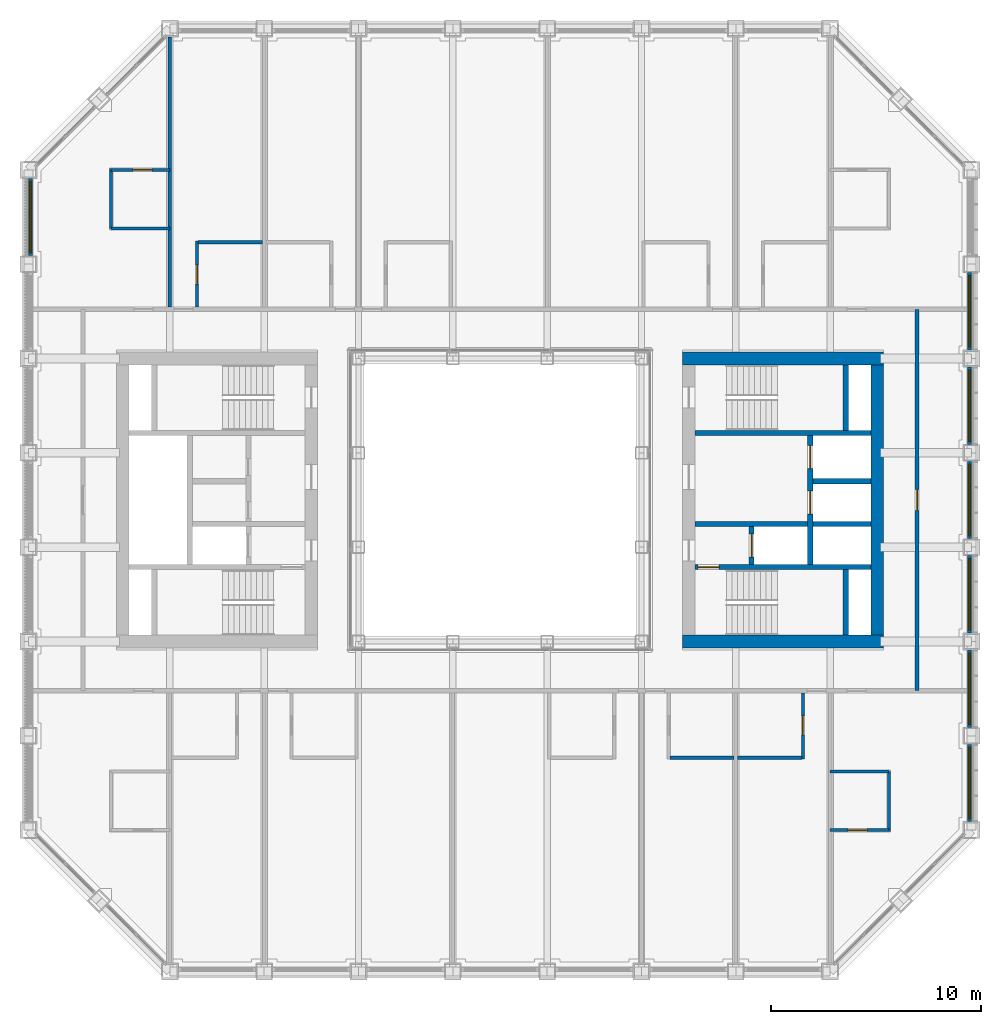
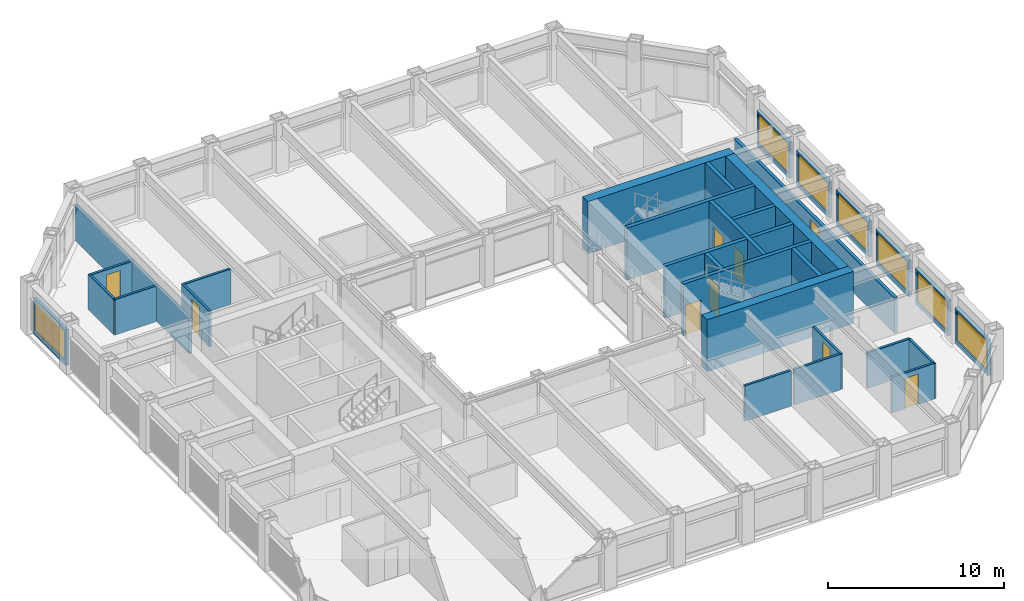
# One storey, part 12 of 17: 32 walls, 9 doors, 7 windows, 16 openings.
"""IFC4 building model written with IfcOpenShell, lengths in metres."""

from ifc_helpers import new_model, si_unit, direction, frame, frame_2d, origin, place, context, subcontext, project, spatial, rectangle, extrude, material, layer, layer_set, type_object, element, fill, save


model = new_model("IFC4")

# Units and contexts
model_context = context("Model", 3, precision=1e-05, world=origin(), true_north=direction((0.0, 1.0)))
body_context = subcontext(model_context, "Body", "Model", "MODEL_VIEW")
ifc_project = project(units=[si_unit("LENGTHUNIT", "METRE"), si_unit("AREAUNIT", "SQUARE_METRE"), si_unit("VOLUMEUNIT", "CUBIC_METRE"), si_unit("PLANEANGLEUNIT", "RADIAN"), si_unit("MASSUNIT", "GRAM", prefix="KILO")], contexts=[model_context])

# Site, building, storey
site_placement = place(None, origin())
site = spatial("IfcSite", under=ifc_project, at=site_placement, CompositionType="ELEMENT")
building_placement = place(site_placement, origin())
building = spatial("IfcBuilding", under=site, at=building_placement, Name="Msasa Ring Tower", CompositionType="ELEMENT")
storey_placement = place(building_placement, frame((0.0, 0.0, 132.800048828125)))
storey = spatial("IfcBuildingStorey", under=building, at=storey_placement, Name="L34", CompositionType="ELEMENT", Elevation=132.800048828125)

# Walls
ifc_material_1 = material(Name="Concrete C60/75", Category="concrete")
ifc_layer_1 = layer(ifc_material_1, 0.60009765625)
ifc_layer_set_1 = layer_set([ifc_layer_1], Name="CW2 CORE WALL 600")
wall_type_1 = type_object("IfcWallType", Name="CW2 CORE WALL 600", PredefinedType="SHEAR", material=ifc_layer_set_1)
for number, where, z_axis, x_axis, name in (
    (1, (8.699951171875, -6.75, 0.0), (0.0, 0.0, 1.0), (1.0, 0.0, 0.0), "E core wall S L34"),
    (2, (8.699951171875, 6.75, 0.0), (0.0, 0.0, 1.0), (1.0, 0.0, 0.0), "E core wall N L34"),
):
    element("IfcWall", number, at=place(storey_placement, frame(where, z_axis=z_axis, x_axis=x_axis)), inside=storey, type_object=wall_type_1, Name=name, PredefinedType="SHEAR", context=body_context, shape_type="SweptSolid", body=[
        extrude(rectangle(XDim=9.60009765625, YDim=0.60009765625, at=frame_2d((4.800048828125, 0.0))), origin(), (0.0, 0.0, 1.0), 3.599853515625),
    ])
wall_1_placement = place(storey_placement, frame((18.0, -6.449951171875, 0.0), z_axis=(0.0, 0.0, 1.0), x_axis=(0.0, 1.0, 0.0)))
element("IfcWall", 3, at=wall_1_placement, inside=storey, type_object=wall_type_1, Name="E core wall E L34", PredefinedType="SHEAR", context=body_context, shape_type="SweptSolid", body=[
    extrude(rectangle(XDim=12.89990234375, YDim=0.60009765625, at=frame_2d((6.449951171875, 0.0))), origin(), (0.0, 0.0, 1.0), 3.599853515625),
])

# Wall, opening, door
ifc_material_2 = material(Name="Concrete C60/75", Category="concrete")
ifc_layer_2 = layer(ifc_material_2, 0.25)
ifc_layer_set_2 = layer_set([ifc_layer_2], Name="CW4 CORE INNER WALL 250")
wall_type_2 = type_object("IfcWallType", Name="CW4 CORE INNER WALL 250", PredefinedType="SHEAR", material=ifc_layer_set_2)
wall_2_placement = place(storey_placement, frame((9.300048828125, -3.199951171875, 0.0), z_axis=(0.0, 0.0, 1.0), x_axis=(1.0, 0.0, 0.0)))
wall_2 = element("IfcWall", 4, at=wall_2_placement, inside=storey, type_object=wall_type_2, Name="E core wall STAIRA L34", PredefinedType="SHEAR", context=body_context, shape_type="SweptSolid", body=[
    extrude(rectangle(XDim=8.39990234375, YDim=0.25, at=frame_2d((4.199951171875, 0.0))), origin(), (0.0, 0.0, 1.0), 3.599853515625),
])
opening_1_placement = place(wall_2_placement, frame((0.14990234375, 0.0, 0.0)))
opening_1 = element("IfcOpeningElement", 5, at=opening_1_placement, cuts=wall_2, Name="Opening HB-026", PredefinedType="OPENING", context=body_context, shape_type="SweptSolid", body=[
    extrude(rectangle(XDim=1.0, YDim=2.10009765625, at=frame_2d((0.5, 1.050048828125))), frame((0.0, 0.135009765625, 0.0), z_axis=(0.0, -1.0, 0.0), x_axis=(1.0, 0.0, 0.0)), (0.0, 0.0, 1.0), 0.27001953125),
])
ifc_material_3 = material(Name="Timber door leaf in a steel frame", Category="steel")
door_type_1 = type_object("IfcDoorType", Name="D6 STAIR DOOR 1000x2100", OperationType="SINGLE_SWING_LEFT", PredefinedType="DOOR", material=ifc_material_3)
door_1_placement = place(opening_1_placement, origin())
door_1 = element("IfcDoor", 6, at=door_1_placement, inside=storey, type_object=door_type_1, Name="Door L34-ESTA", OperationType="SINGLE_SWING_LEFT", OverallHeight=2.10009765625, OverallWidth=1.0, PredefinedType="DOOR", context=body_context, shape_type="SweptSolid", body=[
    extrude(rectangle(XDim=1.0, YDim=2.10009765625, at=frame_2d((0.5, 1.050048828125))), frame((0.0, 0.02490234375, 0.0), z_axis=(0.0, -1.0, 0.0), x_axis=(1.0, 0.0, 0.0)), (0.0, 0.0, 1.0), 0.050048828125),
])
fill(opening_1, door_1)

# Walls
wall_3_placement = place(storey_placement, frame((9.300048828125, 3.199951171875, 0.0), z_axis=(0.0, 0.0, 1.0), x_axis=(1.0, 0.0, 0.0)))
element("IfcWall", 7, at=wall_3_placement, inside=storey, type_object=wall_type_2, Name="E core wall STAIRB L34", PredefinedType="SHEAR", context=body_context, shape_type="SweptSolid", body=[
    extrude(rectangle(XDim=8.39990234375, YDim=0.25, at=frame_2d((4.199951171875, 0.0))), origin(), (0.0, 0.0, 1.0), 3.599853515625),
])
for number, where, z_axis, x_axis, name in (
    (8, (16.5, -6.449951171875, 0.0), (0.0, 0.0, 1.0), (0.0, 1.0, 0.0), "E core wall RISERA L34"),
    (9, (16.5, 3.324951171875, 0.0), (0.0, 0.0, 1.0), (0.0, 1.0, 0.0), "E core wall RISERB L34"),
):
    element("IfcWall", number, at=place(storey_placement, frame(where, z_axis=z_axis, x_axis=x_axis)), inside=storey, type_object=wall_type_2, Name=name, PredefinedType="SHEAR", context=body_context, shape_type="SweptSolid", body=[
        extrude(rectangle(XDim=3.125, YDim=0.25, at=frame_2d((1.5625, 0.0))), origin(), (0.0, 0.0, 1.0), 3.599853515625),
    ])
wall_4_placement = place(storey_placement, frame((9.300048828125, -1.14990234375, 0.0), z_axis=(0.0, 0.0, 1.0), x_axis=(1.0, 0.0, 0.0)))
element("IfcWall", 10, at=wall_4_placement, inside=storey, type_object=wall_type_2, Name="E core wall FFL L34", PredefinedType="SHEAR", context=body_context, shape_type="SweptSolid", body=[
    extrude(rectangle(XDim=5.375, YDim=0.25, at=frame_2d((2.6875, 0.0))), origin(), (0.0, 0.0, 1.0), 3.599853515625),
])

# Wall, opening, door
wall_5_placement = place(storey_placement, frame((12.0, -3.074951171875, 0.0), z_axis=(0.0, 0.0, 1.0), x_axis=(0.0, 1.0, 0.0)))
wall_5 = element("IfcWall", 11, at=wall_5_placement, inside=storey, type_object=wall_type_2, Name="E core wall LOBBY L34", PredefinedType="SHEAR", context=body_context, shape_type="SweptSolid", body=[
    extrude(rectangle(XDim=1.800048828125, YDim=0.25, at=frame_2d((0.89990234375, 0.0))), origin(), (0.0, 0.0, 1.0), 3.599853515625),
])
opening_2_placement = place(wall_5_placement, frame((0.35009765625, 0.0, 0.0)))
opening_2 = element("IfcOpeningElement", 12, at=opening_2_placement, cuts=wall_5, Name="Opening LD1", PredefinedType="OPENING", context=body_context, shape_type="SweptSolid", body=[
    extrude(rectangle(XDim=1.10009765625, YDim=2.10009765625, at=frame_2d((0.550048828125, 1.050048828125))), frame((0.0, 0.135009765625, 0.0), z_axis=(0.0, -1.0, 0.0), x_axis=(1.0, 0.0, 0.0)), (0.0, 0.0, 1.0), 0.27001953125),
])
ifc_material_4 = material(Name="Stainless steel lift landing door", Category="steel")
door_type_2 = type_object("IfcDoorType", Name="LD1 LIFT LANDING DOOR 1100x2100", OperationType="DOUBLE_DOOR_SLIDING", PredefinedType="DOOR", material=ifc_material_4)
door_2_placement = place(opening_2_placement, origin())
door_2 = element("IfcDoor", 13, at=door_2_placement, inside=storey, type_object=door_type_2, Name="Lift landing door FL-E L34", OperationType="DOUBLE_DOOR_SLIDING", OverallHeight=2.10009765625, OverallWidth=1.10009765625, PredefinedType="DOOR", context=body_context, shape_type="SweptSolid", body=[
    extrude(rectangle(XDim=1.10009765625, YDim=2.10009765625, at=frame_2d((0.550048828125, 1.050048828125))), frame((0.0, 0.02490234375, 0.0), z_axis=(0.0, -1.0, 0.0), x_axis=(1.0, 0.0, 0.0)), (0.0, 0.0, 1.0), 0.050048828125),
])
fill(opening_2, door_2)

# Wall, openings, doors
wall_6_placement = place(storey_placement, frame((14.800048828125, -3.074951171875, 0.0), z_axis=(0.0, 0.0, 1.0), x_axis=(0.0, 1.0, 0.0)))
wall_6 = element("IfcWall", 14, at=wall_6_placement, inside=storey, type_object=wall_type_2, Name="E core wall SHAFT L34", PredefinedType="SHEAR", context=body_context, shape_type="SweptSolid", body=[
    extrude(rectangle(XDim=6.14990234375, YDim=0.25, at=frame_2d((3.074951171875, 0.0))), origin(), (0.0, 0.0, 1.0), 3.599853515625),
])
opening_3_placement = place(wall_6_placement, frame((2.39990234375, 0.0, 0.0)))
opening_3 = element("IfcOpeningElement", 15, at=opening_3_placement, cuts=wall_6, Name="Opening LD1", PredefinedType="OPENING", context=body_context, shape_type="SweptSolid", body=[
    extrude(rectangle(XDim=1.10009765625, YDim=2.10009765625, at=frame_2d((0.550048828125, 1.050048828125))), frame((0.0, 0.135009765625, 0.0), z_axis=(0.0, -1.0, 0.0), x_axis=(1.0, 0.0, 0.0)), (0.0, 0.0, 1.0), 0.27001953125),
])
opening_4_placement = place(wall_6_placement, frame((4.574951171875, 0.0, 0.0)))
opening_4 = element("IfcOpeningElement", 16, at=opening_4_placement, cuts=wall_6, Name="Opening LD1", PredefinedType="OPENING", context=body_context, shape_type="SweptSolid", body=[
    extrude(rectangle(XDim=1.10009765625, YDim=2.10009765625, at=frame_2d((0.550048828125, 1.050048828125))), frame((0.0, 0.135009765625, 0.0), z_axis=(0.0, -1.0, 0.0), x_axis=(1.0, 0.0, 0.0)), (0.0, 0.0, 1.0), 0.27001953125),
])
door_3_placement = place(opening_3_placement, origin())
door_3 = element("IfcDoor", 17, at=door_3_placement, inside=storey, type_object=door_type_2, Name="Lift landing door PL-H1 L34", OperationType="DOUBLE_DOOR_SLIDING", OverallHeight=2.10009765625, OverallWidth=1.10009765625, PredefinedType="DOOR", context=body_context, shape_type="SweptSolid", body=[
    extrude(rectangle(XDim=1.10009765625, YDim=2.10009765625, at=frame_2d((0.550048828125, 1.050048828125))), frame((0.0, 0.02490234375, 0.0), z_axis=(0.0, -1.0, 0.0), x_axis=(1.0, 0.0, 0.0)), (0.0, 0.0, 1.0), 0.050048828125),
])
fill(opening_3, door_3)
door_4_placement = place(opening_4_placement, origin())
door_4 = element("IfcDoor", 18, at=door_4_placement, inside=storey, type_object=door_type_2, Name="Lift landing door PL-H2 L34", OperationType="DOUBLE_DOOR_SLIDING", OverallHeight=2.10009765625, OverallWidth=1.10009765625, PredefinedType="DOOR", context=body_context, shape_type="SweptSolid", body=[
    extrude(rectangle(XDim=1.10009765625, YDim=2.10009765625, at=frame_2d((0.550048828125, 1.050048828125))), frame((0.0, 0.02490234375, 0.0), z_axis=(0.0, -1.0, 0.0), x_axis=(1.0, 0.0, 0.0)), (0.0, 0.0, 1.0), 0.050048828125),
])
fill(opening_4, door_4)

# Walls
for number, where, z_axis, x_axis, name in (
    (19, (14.925048828125, -1.14990234375, 0.0), (0.0, 0.0, 1.0), (1.0, 0.0, 0.0), "E core wall HSEP L34"),
    (20, (14.925048828125, 0.89990234375, 0.0), (0.0, 0.0, 1.0), (1.0, 0.0, 0.0), "E core wall HLIFT L34"),
):
    element("IfcWall", number, at=place(storey_placement, frame(where, z_axis=z_axis, x_axis=x_axis)), inside=storey, type_object=wall_type_2, Name=name, PredefinedType="SHEAR", context=body_context, shape_type="SweptSolid", body=[
        extrude(rectangle(XDim=2.77490234375, YDim=0.25, at=frame_2d((1.387451171875, 0.0))), origin(), (0.0, 0.0, 1.0), 3.599853515625),
    ])

# Wall, opening, window
ifc_material_5 = material(Name="Terracotta rainscreen on blockwork", Category="masonry")
ifc_layer_3 = layer(ifc_material_5, 0.199951171875)
ifc_layer_set_3 = layer_set([ifc_layer_3], Name="FW1 TERRACOTTA-LINED INFILL BAY WALL 200")
wall_type_3 = type_object("IfcWallType", Name="FW1 TERRACOTTA-LINED INFILL BAY WALL 200", PredefinedType="SOLIDWALL", material=ifc_layer_set_3)
wall_7_placement = place(storey_placement, frame((22.39990234375, -15.344970703125, 0.0), z_axis=(0.0, 0.0, 1.0), x_axis=(0.0, 1.0, 0.0)))
wall_7 = element("IfcWall", 21, at=wall_7_placement, inside=storey, type_object=wall_type_3, Name="Infill bay wall E L34 09", PredefinedType="SOLIDWALL", context=body_context, shape_type="SweptSolid", body=[
    extrude(rectangle(XDim=3.68994140625, YDim=0.199951171875, at=frame_2d((1.844970703125, 0.0))), origin(), (0.0, 0.0, 1.0), 2.47900390625),
])
opening_5_placement = place(wall_7_placement, frame((0.14501953125, 0.0, 0.300048828125)))
opening_5 = element("IfcOpeningElement", 22, at=opening_5_placement, cuts=wall_7, Name="Opening WN2", PredefinedType="OPENING", context=body_context, shape_type="SweptSolid", body=[
    extrude(rectangle(XDim=3.39990234375, YDim=2.029052734375, at=frame_2d((1.699951171875, 1.0146484375))), frame((0.0, 0.10986328125, 0.0), z_axis=(0.0, -1.0, 0.0), x_axis=(1.0, 0.0, 0.0)), (0.0, 0.0, 1.0), 0.219970703125),
])
ifc_material_6 = material(Name="Aluminium frame with clear glass", Category="aluminium")
window_type = type_object("IfcWindowType", Name="WN2 GUEST ROOM WINDOW 3400x2029", PartitioningType="SINGLE_PANEL", PredefinedType="WINDOW", material=ifc_material_6)
window_1_placement = place(opening_5_placement, origin())
window_1 = element("IfcWindow", 23, at=window_1_placement, inside=storey, type_object=window_type, Name="Window E L34 09", OverallHeight=2.029052734375, OverallWidth=3.39990234375, PartitioningType="SINGLE_PANEL", PredefinedType="WINDOW", context=body_context, shape_type="SweptSolid", body=[
    extrude(rectangle(XDim=3.39990234375, YDim=2.029052734375, at=frame_2d((1.699951171875, 1.0146484375))), frame((0.0, 0.030029296875, 0.0), z_axis=(0.0, -1.0, 0.0), x_axis=(1.0, 0.0, 0.0)), (0.0, 0.0, 1.0), 0.06005859375),
])
fill(opening_5, window_1)

wall_8_placement = place(storey_placement, frame((22.39990234375, -10.844970703125, 0.0), z_axis=(0.0, 0.0, 1.0), x_axis=(0.0, 1.0, 0.0)))
wall_8 = element("IfcWall", 24, at=wall_8_placement, inside=storey, type_object=wall_type_3, Name="Infill bay wall E L34 10", PredefinedType="SOLIDWALL", context=body_context, shape_type="SweptSolid", body=[
    extrude(rectangle(XDim=3.68994140625, YDim=0.199951171875, at=frame_2d((1.844970703125, 0.0))), origin(), (0.0, 0.0, 1.0), 2.47900390625),
])
opening_6_placement = place(wall_8_placement, frame((0.14501953125, 0.0, 0.300048828125)))
opening_6 = element("IfcOpeningElement", 25, at=opening_6_placement, cuts=wall_8, Name="Opening WN2", PredefinedType="OPENING", context=body_context, shape_type="SweptSolid", body=[
    extrude(rectangle(XDim=3.39990234375, YDim=2.029052734375, at=frame_2d((1.699951171875, 1.0146484375))), frame((0.0, 0.10986328125, 0.0), z_axis=(0.0, -1.0, 0.0), x_axis=(1.0, 0.0, 0.0)), (0.0, 0.0, 1.0), 0.219970703125),
])
window_2_placement = place(opening_6_placement, origin())
window_2 = element("IfcWindow", 26, at=window_2_placement, inside=storey, type_object=window_type, Name="Window E L34 10", OverallHeight=2.029052734375, OverallWidth=3.39990234375, PartitioningType="SINGLE_PANEL", PredefinedType="WINDOW", context=body_context, shape_type="SweptSolid", body=[
    extrude(rectangle(XDim=3.39990234375, YDim=2.029052734375, at=frame_2d((1.699951171875, 1.0146484375))), frame((0.0, 0.030029296875, 0.0), z_axis=(0.0, -1.0, 0.0), x_axis=(1.0, 0.0, 0.0)), (0.0, 0.0, 1.0), 0.06005859375),
])
fill(opening_6, window_2)

wall_9_placement = place(storey_placement, frame((22.39990234375, -6.344970703125, 0.0), z_axis=(0.0, 0.0, 1.0), x_axis=(0.0, 1.0, 0.0)))
wall_9 = element("IfcWall", 27, at=wall_9_placement, inside=storey, type_object=wall_type_3, Name="Infill bay wall E L34 11", PredefinedType="SOLIDWALL", context=body_context, shape_type="SweptSolid", body=[
    extrude(rectangle(XDim=3.68994140625, YDim=0.199951171875, at=frame_2d((1.844970703125, 0.0))), origin(), (0.0, 0.0, 1.0), 2.47900390625),
])
opening_7_placement = place(wall_9_placement, frame((0.14501953125, 0.0, 0.300048828125)))
opening_7 = element("IfcOpeningElement", 28, at=opening_7_placement, cuts=wall_9, Name="Opening WN2", PredefinedType="OPENING", context=body_context, shape_type="SweptSolid", body=[
    extrude(rectangle(XDim=3.39990234375, YDim=2.029052734375, at=frame_2d((1.699951171875, 1.0146484375))), frame((0.0, 0.10986328125, 0.0), z_axis=(0.0, -1.0, 0.0), x_axis=(1.0, 0.0, 0.0)), (0.0, 0.0, 1.0), 0.219970703125),
])
window_3_placement = place(opening_7_placement, origin())
window_3 = element("IfcWindow", 29, at=window_3_placement, inside=storey, type_object=window_type, Name="Window E L34 11", OverallHeight=2.029052734375, OverallWidth=3.39990234375, PartitioningType="SINGLE_PANEL", PredefinedType="WINDOW", context=body_context, shape_type="SweptSolid", body=[
    extrude(rectangle(XDim=3.39990234375, YDim=2.029052734375, at=frame_2d((1.699951171875, 1.0146484375))), frame((0.0, 0.030029296875, 0.0), z_axis=(0.0, -1.0, 0.0), x_axis=(1.0, 0.0, 0.0)), (0.0, 0.0, 1.0), 0.06005859375),
])
fill(opening_7, window_3)

wall_10_placement = place(storey_placement, frame((22.39990234375, -1.844970703125, 0.0), z_axis=(0.0, 0.0, 1.0), x_axis=(0.0, 1.0, 0.0)))
wall_10 = element("IfcWall", 30, at=wall_10_placement, inside=storey, type_object=wall_type_3, Name="Infill bay wall E L34 12", PredefinedType="SOLIDWALL", context=body_context, shape_type="SweptSolid", body=[
    extrude(rectangle(XDim=3.68994140625, YDim=0.199951171875, at=frame_2d((1.844970703125, 0.0))), origin(), (0.0, 0.0, 1.0), 2.47900390625),
])
opening_8_placement = place(wall_10_placement, frame((0.14501953125, 0.0, 0.300048828125)))
opening_8 = element("IfcOpeningElement", 31, at=opening_8_placement, cuts=wall_10, Name="Opening WN2", PredefinedType="OPENING", context=body_context, shape_type="SweptSolid", body=[
    extrude(rectangle(XDim=3.39990234375, YDim=2.029052734375, at=frame_2d((1.699951171875, 1.0146484375))), frame((0.0, 0.10986328125, 0.0), z_axis=(0.0, -1.0, 0.0), x_axis=(1.0, 0.0, 0.0)), (0.0, 0.0, 1.0), 0.219970703125),
])
window_4_placement = place(opening_8_placement, origin())
window_4 = element("IfcWindow", 32, at=window_4_placement, inside=storey, type_object=window_type, Name="Window E L34 12", OverallHeight=2.029052734375, OverallWidth=3.39990234375, PartitioningType="SINGLE_PANEL", PredefinedType="WINDOW", context=body_context, shape_type="SweptSolid", body=[
    extrude(rectangle(XDim=3.39990234375, YDim=2.029052734375, at=frame_2d((1.699951171875, 1.0146484375))), frame((0.0, 0.030029296875, 0.0), z_axis=(0.0, -1.0, 0.0), x_axis=(1.0, 0.0, 0.0)), (0.0, 0.0, 1.0), 0.06005859375),
])
fill(opening_8, window_4)

wall_11_placement = place(storey_placement, frame((22.39990234375, 2.655029296875, 0.0), z_axis=(0.0, 0.0, 1.0), x_axis=(0.0, 1.0, 0.0)))
wall_11 = element("IfcWall", 33, at=wall_11_placement, inside=storey, type_object=wall_type_3, Name="Infill bay wall E L34 13", PredefinedType="SOLIDWALL", context=body_context, shape_type="SweptSolid", body=[
    extrude(rectangle(XDim=3.68994140625, YDim=0.199951171875, at=frame_2d((1.844970703125, 0.0))), origin(), (0.0, 0.0, 1.0), 2.47900390625),
])
opening_9_placement = place(wall_11_placement, frame((0.14501953125, 0.0, 0.300048828125)))
opening_9 = element("IfcOpeningElement", 34, at=opening_9_placement, cuts=wall_11, Name="Opening WN2", PredefinedType="OPENING", context=body_context, shape_type="SweptSolid", body=[
    extrude(rectangle(XDim=3.39990234375, YDim=2.029052734375, at=frame_2d((1.699951171875, 1.0146484375))), frame((0.0, 0.10986328125, 0.0), z_axis=(0.0, -1.0, 0.0), x_axis=(1.0, 0.0, 0.0)), (0.0, 0.0, 1.0), 0.219970703125),
])
window_5_placement = place(opening_9_placement, origin())
window_5 = element("IfcWindow", 35, at=window_5_placement, inside=storey, type_object=window_type, Name="Window E L34 13", OverallHeight=2.029052734375, OverallWidth=3.39990234375, PartitioningType="SINGLE_PANEL", PredefinedType="WINDOW", context=body_context, shape_type="SweptSolid", body=[
    extrude(rectangle(XDim=3.39990234375, YDim=2.029052734375, at=frame_2d((1.699951171875, 1.0146484375))), frame((0.0, 0.030029296875, 0.0), z_axis=(0.0, -1.0, 0.0), x_axis=(1.0, 0.0, 0.0)), (0.0, 0.0, 1.0), 0.06005859375),
])
fill(opening_9, window_5)

wall_12_placement = place(storey_placement, frame((22.39990234375, 7.155029296875, 0.0), z_axis=(0.0, 0.0, 1.0), x_axis=(0.0, 1.0, 0.0)))
wall_12 = element("IfcWall", 36, at=wall_12_placement, inside=storey, type_object=wall_type_3, Name="Infill bay wall E L34 14", PredefinedType="SOLIDWALL", context=body_context, shape_type="SweptSolid", body=[
    extrude(rectangle(XDim=3.68994140625, YDim=0.199951171875, at=frame_2d((1.844970703125, 0.0))), origin(), (0.0, 0.0, 1.0), 2.47900390625),
])
opening_10_placement = place(wall_12_placement, frame((0.14501953125, 0.0, 0.300048828125)))
opening_10 = element("IfcOpeningElement", 37, at=opening_10_placement, cuts=wall_12, Name="Opening WN2", PredefinedType="OPENING", context=body_context, shape_type="SweptSolid", body=[
    extrude(rectangle(XDim=3.39990234375, YDim=2.029052734375, at=frame_2d((1.699951171875, 1.0146484375))), frame((0.0, 0.10986328125, 0.0), z_axis=(0.0, -1.0, 0.0), x_axis=(1.0, 0.0, 0.0)), (0.0, 0.0, 1.0), 0.219970703125),
])
window_6_placement = place(opening_10_placement, origin())
window_6 = element("IfcWindow", 38, at=window_6_placement, inside=storey, type_object=window_type, Name="Window E L34 14", OverallHeight=2.029052734375, OverallWidth=3.39990234375, PartitioningType="SINGLE_PANEL", PredefinedType="WINDOW", context=body_context, shape_type="SweptSolid", body=[
    extrude(rectangle(XDim=3.39990234375, YDim=2.029052734375, at=frame_2d((1.699951171875, 1.0146484375))), frame((0.0, 0.030029296875, 0.0), z_axis=(0.0, -1.0, 0.0), x_axis=(1.0, 0.0, 0.0)), (0.0, 0.0, 1.0), 0.06005859375),
])
fill(opening_10, window_6)

wall_13_placement = place(storey_placement, frame((-22.39990234375, 11.655029296875, 0.0), z_axis=(0.0, 0.0, 1.0), x_axis=(0.0, 1.0, 0.0)))
wall_13 = element("IfcWall", 39, at=wall_13_placement, inside=storey, type_object=wall_type_3, Name="Infill bay wall W L34 33", PredefinedType="SOLIDWALL", context=body_context, shape_type="SweptSolid", body=[
    extrude(rectangle(XDim=3.68994140625, YDim=0.199951171875, at=frame_2d((1.844970703125, 0.0))), origin(), (0.0, 0.0, 1.0), 2.47900390625),
])
opening_11_placement = place(wall_13_placement, frame((0.14501953125, 0.0, 0.300048828125)))
opening_11 = element("IfcOpeningElement", 40, at=opening_11_placement, cuts=wall_13, Name="Opening WN2", PredefinedType="OPENING", context=body_context, shape_type="SweptSolid", body=[
    extrude(rectangle(XDim=3.39990234375, YDim=2.029052734375, at=frame_2d((1.699951171875, 1.0146484375))), frame((0.0, 0.10986328125, 0.0), z_axis=(0.0, -1.0, 0.0), x_axis=(1.0, 0.0, 0.0)), (0.0, 0.0, 1.0), 0.219970703125),
])
window_7_placement = place(opening_11_placement, origin())
window_7 = element("IfcWindow", 41, at=window_7_placement, inside=storey, type_object=window_type, Name="Window W L34 33", OverallHeight=2.029052734375, OverallWidth=3.39990234375, PartitioningType="SINGLE_PANEL", PredefinedType="WINDOW", context=body_context, shape_type="SweptSolid", body=[
    extrude(rectangle(XDim=3.39990234375, YDim=2.029052734375, at=frame_2d((1.699951171875, 1.0146484375))), frame((0.0, 0.030029296875, 0.0), z_axis=(0.0, -1.0, 0.0), x_axis=(1.0, 0.0, 0.0)), (0.0, 0.0, 1.0), 0.06005859375),
])
fill(opening_11, window_7)

# Wall, opening, door
ifc_material_7 = material(Name="Concrete blockwork", Category="masonry")
ifc_layer_4 = layer(ifc_material_7, 0.199951171875)
ifc_layer_set_4 = layer_set([ifc_layer_4], Name="PT1 CORRIDOR WALL 200")
wall_type_4 = type_object("IfcWallType", Name="PT1 CORRIDOR WALL 200", PredefinedType="PARTITIONING", material=ifc_layer_set_4)
wall_14_placement = place(storey_placement, frame((19.89990234375, -9.10009765625, 0.0), z_axis=(0.0, 0.0, 1.0), x_axis=(0.0, 1.0, 0.0)))
wall_14 = element("IfcWall", 42, at=wall_14_placement, inside=storey, type_object=wall_type_4, Name="Corridor wall L34-STRE", PredefinedType="PARTITIONING", context=body_context, shape_type="SweptSolid", body=[
    extrude(rectangle(XDim=18.2001953125, YDim=0.199951171875, at=frame_2d((9.10009765625, 0.0))), origin(), (0.0, 0.0, 1.0), 2.473388671875),
])
opening_12_placement = place(wall_14_placement, frame((8.60009765625, 0.0, 0.0)))
opening_12 = element("IfcOpeningElement", 43, at=opening_12_placement, cuts=wall_14, Name="Opening HB-021", PredefinedType="OPENING", context=body_context, shape_type="SweptSolid", body=[
    extrude(rectangle(XDim=1.0, YDim=2.10009765625, at=frame_2d((0.5, 1.050048828125))), frame((0.0, 0.10986328125, 0.0), z_axis=(0.0, -1.0, 0.0), x_axis=(1.0, 0.0, 0.0)), (0.0, 0.0, 1.0), 0.219970703125),
])
ifc_material_8 = material(Name="Timber door leaf in a steel frame", Category="steel")
door_type_3 = type_object("IfcDoorType", Name="D10 STORE DOOR 1000x2100", OperationType="SINGLE_SWING_LEFT", PredefinedType="DOOR", material=ifc_material_8)
door_5_placement = place(opening_12_placement, origin())
door_5 = element("IfcDoor", 44, at=door_5_placement, inside=storey, type_object=door_type_3, Name="Door L34-LGE", OperationType="SINGLE_SWING_LEFT", OverallHeight=2.10009765625, OverallWidth=1.0, PredefinedType="DOOR", context=body_context, shape_type="SweptSolid", body=[
    extrude(rectangle(XDim=1.0, YDim=2.10009765625, at=frame_2d((0.5, 1.050048828125))), frame((0.0, 0.02490234375, 0.0), z_axis=(0.0, -1.0, 0.0), x_axis=(1.0, 0.0, 0.0)), (0.0, 0.0, 1.0), 0.050048828125),
])
fill(opening_12, door_5)

ifc_material_9 = material(Name="Moisture-resistant board on steel studs with a concealed cistern and pipe void, tiled", Category="steel")
ifc_layer_5 = layer(ifc_material_9, 0.14990234375)
ifc_layer_set_5 = layer_set([ifc_layer_5], Name="PT4 BATHROOM WET WALL 150")
wall_type_5 = type_object("IfcWallType", Name="PT4 BATHROOM WET WALL 150", PredefinedType="PARTITIONING", material=ifc_layer_set_5)
wall_15_placement = place(storey_placement, frame((-14.449951171875, 9.199951171875, 0.0), z_axis=(0.0, 0.0, 1.0), x_axis=(0.0, 1.0, 0.0)))
wall_15 = element("IfcWall", 45, at=wall_15_placement, inside=storey, type_object=wall_type_5, Name="Partition L34-GN00BX", PredefinedType="PARTITIONING", context=body_context, shape_type="SweptSolid", body=[
    extrude(rectangle(XDim=3.150146484375, YDim=0.14990234375, at=frame_2d((1.5751953125, 0.0))), origin(), (0.0, 0.0, 1.0), 2.473388671875),
])
opening_13_placement = place(wall_15_placement, frame((1.10009765625, 0.0, 0.0)))
opening_13 = element("IfcOpeningElement", 46, at=opening_13_placement, cuts=wall_15, Name="Opening HB-003", PredefinedType="OPENING", context=body_context, shape_type="SweptSolid", body=[
    extrude(rectangle(XDim=0.89990234375, YDim=2.10009765625, at=frame_2d((0.449951171875, 1.050048828125))), frame((0.0, 0.0849609375, 0.0), z_axis=(0.0, -1.0, 0.0), x_axis=(1.0, 0.0, 0.0)), (0.0, 0.0, 1.0), 0.169921875),
])
ifc_material_10 = material(Name="Timber door leaf in a steel frame", Category="steel")
door_type_4 = type_object("IfcDoorType", Name="D3 BATHROOM DOOR 900x2100", OperationType="SINGLE_SWING_LEFT", PredefinedType="DOOR", material=ifc_material_10)
door_6_placement = place(opening_13_placement, origin())
door_6 = element("IfcDoor", 47, at=door_6_placement, inside=storey, type_object=door_type_4, Name="Door L34-GN00B", OperationType="SINGLE_SWING_LEFT", OverallHeight=2.10009765625, OverallWidth=0.89990234375, PredefinedType="DOOR", context=body_context, shape_type="SweptSolid", body=[
    extrude(rectangle(XDim=0.89990234375, YDim=2.10009765625, at=frame_2d((0.449951171875, 1.050048828125))), frame((0.0, 0.02490234375, 0.0), z_axis=(0.0, -1.0, 0.0), x_axis=(1.0, 0.0, 0.0)), (0.0, 0.0, 1.0), 0.050048828125),
])
fill(opening_13, door_6)

# Walls
wall_16_placement = place(storey_placement, frame((-14.39990234375, 12.300048828125, 0.0), z_axis=(0.0, 0.0, 1.0), x_axis=(1.0, 0.0, 0.0)))
element("IfcWall", 48, at=wall_16_placement, inside=storey, type_object=wall_type_5, Name="Partition L34-GN00BY", PredefinedType="PARTITIONING", context=body_context, shape_type="SweptSolid", body=[
    extrude(rectangle(XDim=3.0625, YDim=0.14990234375, at=frame_2d((1.53125, 0.0))), origin(), (0.0, 0.0, 1.0), 2.473388671875),
])
wall_17_placement = place(storey_placement, frame((-18.550048828125, 12.949951171875, 0.0), z_axis=(0.0, 0.0, 1.0), x_axis=(0.0, 1.0, 0.0)))
element("IfcWall", 49, at=wall_17_placement, inside=storey, type_object=wall_type_5, Name="Partition L34-CSNWBX", PredefinedType="PARTITIONING", context=body_context, shape_type="SweptSolid", body=[
    extrude(rectangle(XDim=2.875, YDim=0.14990234375, at=frame_2d((1.4375, 0.0))), origin(), (0.0, 0.0, 1.0), 2.473388671875),
])
wall_18_placement = place(storey_placement, frame((-18.550048828125, 12.949951171875, 0.0), z_axis=(0.0, 0.0, 1.0), x_axis=(1.0, 0.0, 0.0)))
element("IfcWall", 50, at=wall_18_placement, inside=storey, type_object=wall_type_5, Name="Partition L34-CSNWBY", PredefinedType="PARTITIONING", context=body_context, shape_type="SweptSolid", body=[
    extrude(rectangle(XDim=2.800048828125, YDim=0.14990234375, at=frame_2d((1.39990234375, 0.0))), origin(), (0.0, 0.0, 1.0), 2.473388671875),
])

# Wall, opening, door
wall_19_placement = place(storey_placement, frame((-18.550048828125, 15.75, 0.0), z_axis=(0.0, 0.0, 1.0), x_axis=(1.0, 0.0, 0.0)))
wall_19 = element("IfcWall", 51, at=wall_19_placement, inside=storey, type_object=wall_type_5, Name="Partition L34-CSNWBZ", PredefinedType="PARTITIONING", context=body_context, shape_type="SweptSolid", body=[
    extrude(rectangle(XDim=2.800048828125, YDim=0.14990234375, at=frame_2d((1.39990234375, 0.0))), origin(), (0.0, 0.0, 1.0), 2.473388671875),
])
opening_14_placement = place(wall_19_placement, frame((1.050048828125, 0.0, 0.0)))
opening_14 = element("IfcOpeningElement", 52, at=opening_14_placement, cuts=wall_19, Name="Opening HB-001", PredefinedType="OPENING", context=body_context, shape_type="SweptSolid", body=[
    extrude(rectangle(XDim=0.89990234375, YDim=2.10009765625, at=frame_2d((0.449951171875, 1.050048828125))), frame((0.0, 0.0849609375, 0.0), z_axis=(0.0, -1.0, 0.0), x_axis=(1.0, 0.0, 0.0)), (0.0, 0.0, 1.0), 0.169921875),
])
door_7_placement = place(opening_14_placement, origin())
door_7 = element("IfcDoor", 53, at=door_7_placement, inside=storey, type_object=door_type_4, Name="Door L34-CSNWB1", OperationType="SINGLE_SWING_RIGHT", OverallHeight=2.10009765625, OverallWidth=0.89990234375, PredefinedType="DOOR", context=body_context, shape_type="SweptSolid", body=[
    extrude(rectangle(XDim=0.89990234375, YDim=2.10009765625, at=frame_2d((0.449951171875, 1.050048828125))), frame((0.0, 0.02490234375, 0.0), z_axis=(0.0, -1.0, 0.0), x_axis=(1.0, 0.0, 0.0)), (0.0, 0.0, 1.0), 0.050048828125),
])
fill(opening_14, door_7)

# Wall
wall_20_placement = place(storey_placement, frame((8.10009765625, -12.300048828125, 0.0), z_axis=(0.0, 0.0, 1.0), x_axis=(1.0, 0.0, 0.0)))
element("IfcWall", 54, at=wall_20_placement, inside=storey, type_object=wall_type_5, Name="Partition L34-GS03BY", PredefinedType="PARTITIONING", context=body_context, shape_type="SweptSolid", body=[
    extrude(rectangle(XDim=3.0625, YDim=0.14990234375, at=frame_2d((1.53125, 0.0))), origin(), (0.0, 0.0, 1.0), 2.473388671875),
])

# Wall, opening, door
wall_21_placement = place(storey_placement, frame((14.449951171875, -12.35009765625, 0.0), z_axis=(0.0, 0.0, 1.0), x_axis=(0.0, 1.0, 0.0)))
wall_21 = element("IfcWall", 55, at=wall_21_placement, inside=storey, type_object=wall_type_5, Name="Partition L34-GS04BX", PredefinedType="PARTITIONING", context=body_context, shape_type="SweptSolid", body=[
    extrude(rectangle(XDim=3.150146484375, YDim=0.14990234375, at=frame_2d((1.5751953125, 0.0))), origin(), (0.0, 0.0, 1.0), 2.473388671875),
])
opening_15_placement = place(wall_21_placement, frame((1.14990234375, 0.0, 0.0)))
opening_15 = element("IfcOpeningElement", 56, at=opening_15_placement, cuts=wall_21, Name="Opening HB-038", PredefinedType="OPENING", context=body_context, shape_type="SweptSolid", body=[
    extrude(rectangle(XDim=0.89990234375, YDim=2.10009765625, at=frame_2d((0.449951171875, 1.050048828125))), frame((0.0, 0.0849609375, 0.0), z_axis=(0.0, -1.0, 0.0), x_axis=(1.0, 0.0, 0.0)), (0.0, 0.0, 1.0), 0.169921875),
])
door_8_placement = place(opening_15_placement, origin())
door_8 = element("IfcDoor", 57, at=door_8_placement, inside=storey, type_object=door_type_4, Name="Door L34-GS04B", OperationType="SINGLE_SWING_LEFT", OverallHeight=2.10009765625, OverallWidth=0.89990234375, PredefinedType="DOOR", context=body_context, shape_type="SweptSolid", body=[
    extrude(rectangle(XDim=0.89990234375, YDim=2.10009765625, at=frame_2d((0.449951171875, 1.050048828125))), frame((0.0, 0.02490234375, 0.0), z_axis=(0.0, -1.0, 0.0), x_axis=(1.0, 0.0, 0.0)), (0.0, 0.0, 1.0), 0.050048828125),
])
fill(opening_15, door_8)

# Walls
wall_22_placement = place(storey_placement, frame((11.33740234375, -12.300048828125, 0.0), z_axis=(0.0, 0.0, 1.0), x_axis=(1.0, 0.0, 0.0)))
element("IfcWall", 58, at=wall_22_placement, inside=storey, type_object=wall_type_5, Name="Partition L34-GS04BY", PredefinedType="PARTITIONING", context=body_context, shape_type="SweptSolid", body=[
    extrude(rectangle(XDim=3.0625, YDim=0.14990234375, at=frame_2d((1.53125, 0.0))), origin(), (0.0, 0.0, 1.0), 2.473388671875),
])
wall_23_placement = place(storey_placement, frame((18.550048828125, -15.824951171875, 0.0), z_axis=(0.0, 0.0, 1.0), x_axis=(0.0, 1.0, 0.0)))
element("IfcWall", 59, at=wall_23_placement, inside=storey, type_object=wall_type_5, Name="Partition L34-CSSEBX", PredefinedType="PARTITIONING", context=body_context, shape_type="SweptSolid", body=[
    extrude(rectangle(XDim=2.875, YDim=0.14990234375, at=frame_2d((1.4375, 0.0))), origin(), (0.0, 0.0, 1.0), 2.473388671875),
])
wall_24_placement = place(storey_placement, frame((15.75, -12.949951171875, 0.0), z_axis=(0.0, 0.0, 1.0), x_axis=(1.0, 0.0, 0.0)))
element("IfcWall", 60, at=wall_24_placement, inside=storey, type_object=wall_type_5, Name="Partition L34-CSSEBY", PredefinedType="PARTITIONING", context=body_context, shape_type="SweptSolid", body=[
    extrude(rectangle(XDim=2.800048828125, YDim=0.14990234375, at=frame_2d((1.39990234375, 0.0))), origin(), (0.0, 0.0, 1.0), 2.473388671875),
])

# Wall, opening, door
wall_25_placement = place(storey_placement, frame((15.75, -15.75, 0.0), z_axis=(0.0, 0.0, 1.0), x_axis=(1.0, 0.0, 0.0)))
wall_25 = element("IfcWall", 61, at=wall_25_placement, inside=storey, type_object=wall_type_5, Name="Partition L34-CSSEBZ", PredefinedType="PARTITIONING", context=body_context, shape_type="SweptSolid", body=[
    extrude(rectangle(XDim=2.800048828125, YDim=0.14990234375, at=frame_2d((1.39990234375, 0.0))), origin(), (0.0, 0.0, 1.0), 2.473388671875),
])
opening_16_placement = place(wall_25_placement, frame((0.85009765625, 0.0, 0.0)))
opening_16 = element("IfcOpeningElement", 62, at=opening_16_placement, cuts=wall_25, Name="Opening HB-040", PredefinedType="OPENING", context=body_context, shape_type="SweptSolid", body=[
    extrude(rectangle(XDim=0.89990234375, YDim=2.10009765625, at=frame_2d((0.449951171875, 1.050048828125))), frame((0.0, 0.0849609375, 0.0), z_axis=(0.0, -1.0, 0.0), x_axis=(1.0, 0.0, 0.0)), (0.0, 0.0, 1.0), 0.169921875),
])
door_9_placement = place(opening_16_placement, origin())
door_9 = element("IfcDoor", 63, at=door_9_placement, inside=storey, type_object=door_type_4, Name="Door L34-CSSEB1", OperationType="SINGLE_SWING_LEFT", OverallHeight=2.10009765625, OverallWidth=0.89990234375, PredefinedType="DOOR", context=body_context, shape_type="SweptSolid", body=[
    extrude(rectangle(XDim=0.89990234375, YDim=2.10009765625, at=frame_2d((0.449951171875, 1.050048828125))), frame((0.0, 0.02490234375, 0.0), z_axis=(0.0, -1.0, 0.0), x_axis=(1.0, 0.0, 0.0)), (0.0, 0.0, 1.0), 0.050048828125),
])
fill(opening_16, door_9)

# Wall
ifc_material_11 = material(Name="Twin steel studs, two layers of acoustic board each face, mineral wool", Category="steel")
ifc_layer_6 = layer(ifc_material_11, 0.175048828125)
ifc_layer_set_6 = layer_set([ifc_layer_6], Name="PT5 GUEST ROOM SEPARATING WALL 175")
wall_type_6 = type_object("IfcWallType", Name="PT5 GUEST ROOM SEPARATING WALL 175", PredefinedType="PARTITIONING", material=ifc_layer_set_6)
wall_26_placement = place(storey_placement, frame((-15.75, 9.199951171875, 0.0), z_axis=(0.0, 0.0, 1.0), x_axis=(0.0, 1.0, 0.0)))
element("IfcWall", 64, at=wall_26_placement, inside=storey, type_object=wall_type_6, Name="Partition L34-PWN-15.75", PredefinedType="PARTITIONING", context=body_context, shape_type="SweptSolid", body=[
    extrude(rectangle(XDim=12.900146484375, YDim=0.175048828125, at=frame_2d((6.4501953125, 0.0))), origin(), (0.0, 0.0, 1.0), 2.473388671875),
])

save(model, "model.ifc")
